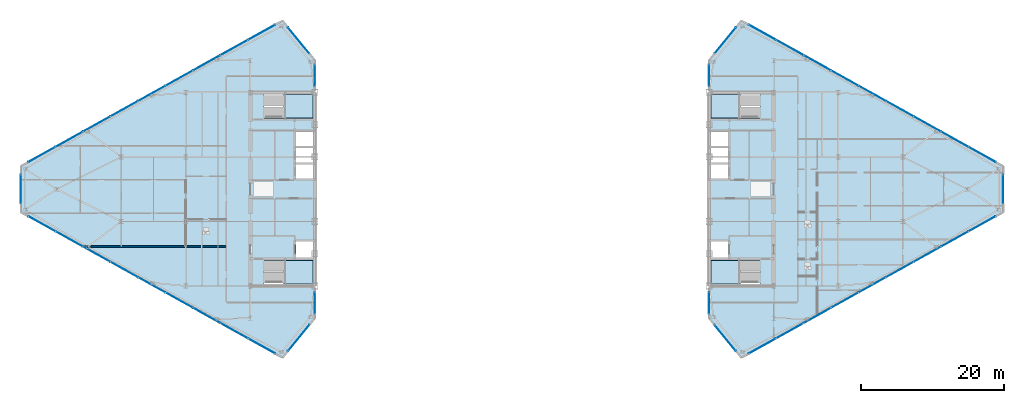
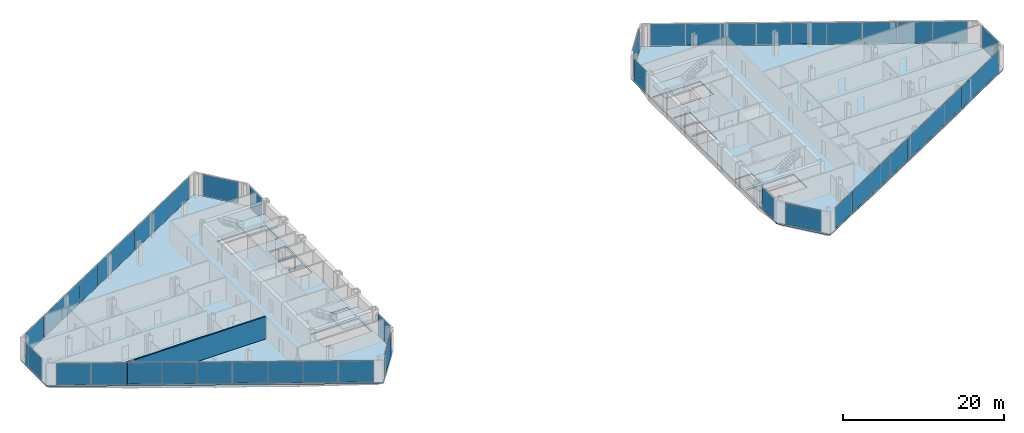
# One storey, part 18 of 26: 46 plates, 6 slabs, 1 wall, 18 elements without a shape of their own.
"""IFC4 building model written with IfcOpenShell, lengths in metres."""

from ifc_helpers import new_model, si_unit, direction, frame, frame_2d, origin, origin_2d, place, context, subcontext, project, spatial, polyline, rectangle, outline, extrude, source, transform, mapped, material, layer, layer_set, type_object, type_shapes, element, aggregate, save


model = new_model("IFC4")

# Units and contexts
model_context = context("Model", 3, precision=1e-05, world=origin(), true_north=direction((0.0, 1.0)))
body_context = subcontext(model_context, "Body", "Model", "MODEL_VIEW")
ifc_project = project(units=[si_unit("LENGTHUNIT", "METRE"), si_unit("AREAUNIT", "SQUARE_METRE"), si_unit("VOLUMEUNIT", "CUBIC_METRE"), si_unit("PLANEANGLEUNIT", "RADIAN"), si_unit("MASSUNIT", "GRAM", prefix="KILO")], contexts=[model_context])

# Site, building, storey
site_placement = place(None, origin())
site = spatial("IfcSite", under=ifc_project, at=site_placement, CompositionType="ELEMENT")
building_placement = place(site_placement, origin())
building = spatial("IfcBuilding", under=site, at=building_placement, Name="Seokmaru Belvedere", CompositionType="ELEMENT")
storey_placement = place(building_placement, frame((0.0, 0.0, 174.300048828125)))
storey = spatial("IfcBuildingStorey", under=building, at=storey_placement, Name="L46", CompositionType="ELEMENT", Elevation=174.300048828125)

# Stair, slab
ifc_material_1 = material(Name="Concrete C40 (40 MPa)", Category="concrete")
stair_type = type_object("IfcStairType", Name="Typical Tower Core Dog-Leg Stair 3600", PredefinedType="TWO_STRAIGHT_RUN_STAIR", material=ifc_material_1)
stair_1_placement = place(storey_placement, origin())
stair_1 = element("IfcStair", 1, at=stair_1_placement, inside=storey, type_object=stair_type, Name="L46 Special Escape Stair ST-W1", PredefinedType="TWO_STRAIGHT_RUN_STAIR")
ifc_layer_1 = layer(ifc_material_1, 0.199951171875)
ifc_layer_set_1 = layer_set([ifc_layer_1], Name="Concrete C40 (40 MPa)")
slab_type_1 = type_object("IfcSlabType", Name="Reinforced Concrete Stair Landing Slab 200", PredefinedType="LANDING", material=ifc_layer_set_1)
slab_1_placement = place(storey_placement, frame((0.0, 0.0, 1.599853515625)))
slab_1 = element("IfcSlab", 2, at=slab_1_placement, type_object=slab_type_1, Name="ST-W1 landing 1", PredefinedType="LANDING", context=body_context, shape_type="SweptSolid", body=[
    extrude(outline(polyline([(-31.8798828125, -13.239990234375), (-27.760009765625, -13.239990234375), (-27.760009765625, -9.949951171875), (-31.8798828125, -9.949951171875), (-31.8798828125, -13.239990234375)])), origin(), (0.0, 0.0, 1.0), 0.2001953125),
])
aggregate(stair_1, [slab_1])

stair_2_placement = place(storey_placement, origin())
stair_2 = element("IfcStair", 3, at=stair_2_placement, inside=storey, type_object=stair_type, Name="L46 Special Escape Stair ST-W2", PredefinedType="TWO_STRAIGHT_RUN_STAIR")
slab_2_placement = place(storey_placement, frame((0.0, 0.0, 1.599853515625)))
slab_2 = element("IfcSlab", 4, at=slab_2_placement, type_object=slab_type_1, Name="ST-W2 landing 1", PredefinedType="LANDING", context=body_context, shape_type="SweptSolid", body=[
    extrude(outline(polyline([(-31.8798828125, 9.949951171875), (-27.760009765625, 9.949951171875), (-27.760009765625, 13.239990234375), (-31.8798828125, 13.239990234375), (-31.8798828125, 9.949951171875)])), origin(), (0.0, 0.0, 1.0), 0.2001953125),
])
aggregate(stair_2, [slab_2])

stair_3_placement = place(storey_placement, origin())
stair_3 = element("IfcStair", 5, at=stair_3_placement, inside=storey, type_object=stair_type, Name="L46 Special Escape Stair ST-E1", PredefinedType="TWO_STRAIGHT_RUN_STAIR")
slab_3_placement = place(storey_placement, frame((0.0, 0.0, 1.599853515625)))
slab_3 = element("IfcSlab", 6, at=slab_3_placement, type_object=slab_type_1, Name="ST-E1 landing 1", PredefinedType="LANDING", context=body_context, shape_type="SweptSolid", body=[
    extrude(outline(polyline([(27.760009765625, -13.239990234375), (31.8798828125, -13.239990234375), (31.8798828125, -9.949951171875), (27.760009765625, -9.949951171875), (27.760009765625, -13.239990234375)])), origin(), (0.0, 0.0, 1.0), 0.2001953125),
])
aggregate(stair_3, [slab_3])

stair_4_placement = place(storey_placement, origin())
stair_4 = element("IfcStair", 7, at=stair_4_placement, inside=storey, type_object=stair_type, Name="L46 Special Escape Stair ST-E2", PredefinedType="TWO_STRAIGHT_RUN_STAIR")
slab_4_placement = place(storey_placement, frame((0.0, 0.0, 1.599853515625)))
slab_4 = element("IfcSlab", 8, at=slab_4_placement, type_object=slab_type_1, Name="ST-E2 landing 1", PredefinedType="LANDING", context=body_context, shape_type="SweptSolid", body=[
    extrude(outline(polyline([(27.760009765625, 9.949951171875), (31.8798828125, 9.949951171875), (31.8798828125, 13.239990234375), (27.760009765625, 13.239990234375), (27.760009765625, 9.949951171875)])), origin(), (0.0, 0.0, 1.0), 0.2001953125),
])
aggregate(stair_4, [slab_4])

# Slabs
ifc_layer_2 = layer(ifc_material_1, 0.219970703125)
ifc_layer_set_2 = layer_set([ifc_layer_2], Name="Concrete C40 (40 MPa)")
slab_type_2 = type_object("IfcSlabType", Name="Typical Tower Composite Floor Slab 220", PredefinedType="FLOOR", material=ifc_layer_set_2)
slab_5_placement = place(storey_placement, frame((0.0, 0.0, -0.219970703125)))
element("IfcSlab", 9, at=slab_5_placement, inside=storey, type_object=slab_type_2, Name="L46 West Leg Floor Slab", PredefinedType="FLOOR", context=body_context, shape_type="SweptSolid", body=[
    extrude(outline(polyline([(-27.5, -18.0), (-27.5, 18.0), (-32.0, 23.5), (-68.5, 3.199951171875), (-68.5, -3.199951171875), (-32.0, -23.5), (-27.5, -18.0)]), holes=[polyline([(-34.60009765625, -13.25), (-27.75, -13.25), (-27.75, -9.949951171875), (-34.60009765625, -9.949951171875), (-34.60009765625, -13.25)]), polyline([(-34.60009765625, 9.949951171875), (-27.75, 9.949951171875), (-27.75, 13.25), (-34.60009765625, 13.25), (-34.60009765625, 9.949951171875)]), polyline([(-30.14990234375, -9.550048828125), (-27.75, -9.550048828125), (-27.75, -7.25), (-30.14990234375, -7.25), (-30.14990234375, -9.550048828125)]), polyline([(-30.14990234375, 1.449951171875), (-27.75, 1.449951171875), (-27.75, 3.449951171875), (-30.14990234375, 3.449951171875), (-30.14990234375, 1.449951171875)]), polyline([(-30.14990234375, 3.75), (-27.75, 3.75), (-27.75, 5.75), (-30.14990234375, 5.75), (-30.14990234375, 3.75)]), polyline([(-30.14990234375, 6.050048828125), (-27.75, 6.050048828125), (-27.75, 8.050048828125), (-30.14990234375, 8.050048828125), (-30.14990234375, 6.050048828125)])]), origin(), (0.0, 0.0, 1.0), 0.219970703125),
])
slab_6_placement = place(storey_placement, frame((0.0, 0.0, -0.219970703125)))
element("IfcSlab", 10, at=slab_6_placement, inside=storey, type_object=slab_type_2, Name="L46 East Leg Floor Slab", PredefinedType="FLOOR", context=body_context, shape_type="SweptSolid", body=[
    extrude(outline(polyline([(32.0, -23.5), (68.5, -3.199951171875), (68.5, 3.199951171875), (32.0, 23.5), (27.5, 18.0), (27.5, -18.0), (32.0, -23.5)]), holes=[polyline([(27.75, -13.25), (34.60009765625, -13.25), (34.60009765625, -9.949951171875), (27.75, -9.949951171875), (27.75, -13.25)]), polyline([(27.75, 9.949951171875), (34.60009765625, 9.949951171875), (34.60009765625, 13.25), (27.75, 13.25), (27.75, 9.949951171875)]), polyline([(27.75, -9.550048828125), (30.14990234375, -9.550048828125), (30.14990234375, -7.25), (27.75, -7.25), (27.75, -9.550048828125)]), polyline([(27.75, 1.449951171875), (30.14990234375, 1.449951171875), (30.14990234375, 3.449951171875), (27.75, 3.449951171875), (27.75, 1.449951171875)]), polyline([(27.75, 3.75), (30.14990234375, 3.75), (30.14990234375, 5.75), (27.75, 5.75), (27.75, 3.75)]), polyline([(27.75, 6.050048828125), (30.14990234375, 6.050048828125), (30.14990234375, 8.050048828125), (27.75, 8.050048828125), (27.75, 6.050048828125)])]), origin(), (0.0, 0.0, 1.0), 0.219970703125),
])

# Curtain wall, plate
ifc_material_2 = material(Name="Bronze Triple Insulating Glass", Category="glass")
ifc_layer_3 = layer(ifc_material_2, 0.179931640625)
ifc_layer_set_3 = layer_set([ifc_layer_3], Name="Bronze Triple Insulating Glass")
curtain_wall_type = type_object("IfcCurtainWallType", Name="High-Rise Wind-Corner Curtain Wall System CW-5", PredefinedType="NOTDEFINED", material=ifc_layer_set_3)
curtain_wall_1_placement = place(storey_placement, origin())
curtain_wall_1 = element("IfcCurtainWall", 11, at=curtain_wall_1_placement, inside=storey, type_object=curtain_wall_type, Name="L46 Curtain Wall WSP_1", PredefinedType="NOTDEFINED")
ifc_layer_4 = layer(ifc_material_2, 0.035888671875)
ifc_layer_set_4 = layer_set([ifc_layer_4], Name="Bronze Triple Insulating Glass")
plate_type = type_object("IfcPlateType", Name="Bronze Triple Vision Glazing Panel 36", PredefinedType="CURTAIN_PANEL", material=ifc_layer_set_4)
shared_shape_1 = source(origin(), body_context, "Body", "SweptSolid", [
    extrude(rectangle(XDim=2.969970703125, YDim=0.035888671875, at=origin_2d()), origin(), (0.0, 0.0, 1.0), 3.25),
])
plate_1_placement = place(storey_placement, frame((-27.5, -15.8798828125, 0.06494140625), z_axis=(0.0, 0.0, 1.0), x_axis=(0.0, 1.0, 0.0)))
plate_1 = element("IfcPlate", 12, at=plate_1_placement, type_object=plate_type, Name="CW:L46:WSP_1 Glazing Panel 1-1", PredefinedType="CURTAIN_PANEL", context=body_context, shape_type="MappedRepresentation", body=[
    mapped(shared_shape_1, transform((0.0, 0.0, 0.0), scale=1.0)),
])
aggregate(curtain_wall_1, [plate_1])

curtain_wall_2_placement = place(storey_placement, origin())
curtain_wall_2 = element("IfcCurtainWall", 13, at=curtain_wall_2_placement, inside=storey, type_object=curtain_wall_type, Name="L46 Curtain Wall WSP_2", PredefinedType="NOTDEFINED")
plate_2_placement = place(storey_placement, frame((-27.5, 15.8798828125, 0.06494140625), z_axis=(0.0, 0.0, 1.0), x_axis=(0.0, 1.0, 0.0)))
plate_2 = element("IfcPlate", 14, at=plate_2_placement, type_object=plate_type, Name="CW:L46:WSP_2 Glazing Panel 1-1", PredefinedType="CURTAIN_PANEL", context=body_context, shape_type="MappedRepresentation", body=[
    mapped(shared_shape_1, transform((0.0, 0.0, 0.0), scale=1.0)),
])
aggregate(curtain_wall_2, [plate_2])

curtain_wall_3_placement = place(storey_placement, origin())
curtain_wall_3 = element("IfcCurtainWall", 15, at=curtain_wall_3_placement, inside=storey, type_object=curtain_wall_type, Name="L46 Curtain Wall ESP_1", PredefinedType="NOTDEFINED")
plate_3_placement = place(storey_placement, frame((27.5, -15.8798828125, 0.06494140625), z_axis=(0.0, 0.0, 1.0), x_axis=(0.0, -1.0, 0.0)))
plate_3 = element("IfcPlate", 16, at=plate_3_placement, type_object=plate_type, Name="CW:L46:ESP_1 Glazing Panel 1-1", PredefinedType="CURTAIN_PANEL", context=body_context, shape_type="MappedRepresentation", body=[
    mapped(shared_shape_1, transform((0.0, 0.0, 0.0), scale=1.0)),
])
aggregate(curtain_wall_3, [plate_3])

curtain_wall_4_placement = place(storey_placement, origin())
curtain_wall_4 = element("IfcCurtainWall", 17, at=curtain_wall_4_placement, inside=storey, type_object=curtain_wall_type, Name="L46 Curtain Wall ESP_2", PredefinedType="NOTDEFINED")
plate_4_placement = place(storey_placement, frame((27.5, 15.8798828125, 0.06494140625), z_axis=(0.0, 0.0, 1.0), x_axis=(0.0, -1.0, 0.0)))
plate_4 = element("IfcPlate", 18, at=plate_4_placement, type_object=plate_type, Name="CW:L46:ESP_2 Glazing Panel 1-1", PredefinedType="CURTAIN_PANEL", context=body_context, shape_type="MappedRepresentation", body=[
    mapped(shared_shape_1, transform((0.0, 0.0, 0.0), scale=1.0)),
])
aggregate(curtain_wall_4, [plate_4])

curtain_wall_5_placement = place(storey_placement, origin())
curtain_wall_5 = element("IfcCurtainWall", 19, at=curtain_wall_5_placement, inside=storey, type_object=curtain_wall_type, Name="L46 Curtain Wall WF2", PredefinedType="NOTDEFINED")
shared_shape_2 = source(origin(), body_context, "Body", "SweptSolid", [
    extrude(rectangle(XDim=4.67626953125, YDim=0.035888671875, at=origin_2d()), origin(), (0.0, 0.0, 1.0), 3.25),
])
plate_5_placement = place(storey_placement, frame((-29.75, 20.75, 0.06494140625), z_axis=(0.0, 0.0, 1.0), x_axis=(-0.633253907144, 0.773944112379, 0.0)))
plate_5 = element("IfcPlate", 20, at=plate_5_placement, type_object=plate_type, Name="CW:L46:WF2 Glazing Panel 1-1", PredefinedType="CURTAIN_PANEL", context=body_context, shape_type="MappedRepresentation", body=[
    mapped(shared_shape_2, transform((0.0, 0.0, 0.0), scale=1.0)),
])
aggregate(curtain_wall_5, [plate_5])

curtain_wall_6_placement = place(storey_placement, origin())
curtain_wall_6 = element("IfcCurtainWall", 21, at=curtain_wall_6_placement, inside=storey, type_object=curtain_wall_type, Name="L46 Curtain Wall WF6", PredefinedType="NOTDEFINED")
plate_6_placement = place(storey_placement, frame((-29.75, -20.75, 0.06494140625), z_axis=(0.0, 0.0, 1.0), x_axis=(0.633253907144, 0.773944112379, 0.0)))
plate_6 = element("IfcPlate", 22, at=plate_6_placement, type_object=plate_type, Name="CW:L46:WF6 Glazing Panel 1-1", PredefinedType="CURTAIN_PANEL", context=body_context, shape_type="MappedRepresentation", body=[
    mapped(shared_shape_2, transform((0.0, 0.0, 0.0), scale=1.0)),
])
aggregate(curtain_wall_6, [plate_6])

curtain_wall_7_placement = place(storey_placement, origin())
curtain_wall_7 = element("IfcCurtainWall", 23, at=curtain_wall_7_placement, inside=storey, type_object=curtain_wall_type, Name="L46 Curtain Wall EF4", PredefinedType="NOTDEFINED")
plate_7_placement = place(storey_placement, frame((29.75, 20.75, 0.06494140625), z_axis=(0.0, 0.0, 1.0), x_axis=(-0.633253907144, -0.773944112379, 0.0)))
plate_7 = element("IfcPlate", 24, at=plate_7_placement, type_object=plate_type, Name="CW:L46:EF4 Glazing Panel 1-1", PredefinedType="CURTAIN_PANEL", context=body_context, shape_type="MappedRepresentation", body=[
    mapped(shared_shape_2, transform((0.0, 0.0, 0.0), scale=1.0)),
])
aggregate(curtain_wall_7, [plate_7])

curtain_wall_8_placement = place(storey_placement, origin())
curtain_wall_8 = element("IfcCurtainWall", 25, at=curtain_wall_8_placement, inside=storey, type_object=curtain_wall_type, Name="L46 Curtain Wall EF6", PredefinedType="NOTDEFINED")
plate_8_placement = place(storey_placement, frame((29.75, -20.75, 0.06494140625), z_axis=(0.0, 0.0, 1.0), x_axis=(0.633253907144, -0.773944112379, 0.0)))
plate_8 = element("IfcPlate", 26, at=plate_8_placement, type_object=plate_type, Name="CW:L46:EF6 Glazing Panel 1-1", PredefinedType="CURTAIN_PANEL", context=body_context, shape_type="MappedRepresentation", body=[
    mapped(shared_shape_2, transform((0.0, 0.0, 0.0), scale=1.0)),
])
aggregate(curtain_wall_8, [plate_8])

# Curtain wall, plates
curtain_wall_9_placement = place(storey_placement, origin())
curtain_wall_9 = element("IfcCurtainWall", 27, at=curtain_wall_9_placement, inside=storey, type_object=curtain_wall_type, Name="L46 Curtain Wall WF3", PredefinedType="NOTDEFINED")
shared_shape_3 = source(origin(), body_context, "Body", "SweptSolid", [
    extrude(rectangle(XDim=4.28759765625, YDim=0.035888671875, at=origin_2d()), origin(), (0.0, 0.0, 1.0), 3.25),
])
plate_9_placement = place(storey_placement, frame((-34.935302734375, 21.867431640625, 0.06494140625), z_axis=(0.0, 0.0, 1.0), x_axis=(-0.873932601598, -0.486047125147, 0.0)))
plate_9 = element("IfcPlate", 28, at=plate_9_placement, type_object=plate_type, Name="CW:L46:WF3 Glazing Panel 1-1", PredefinedType="CURTAIN_PANEL", context=body_context, shape_type="MappedRepresentation", body=[
    mapped(shared_shape_3, transform((0.0, 0.0, 0.0), scale=1.0)),
])
plate_10_placement = place(storey_placement, frame((-65.564697265625, 4.83251953125, 0.06494140625), z_axis=(0.0, 0.0, 1.0), x_axis=(-0.873932601598, -0.486047125147, 0.0)))
plate_10 = element("IfcPlate", 29, at=plate_10_placement, type_object=plate_type, Name="CW:L46:WF3 Glazing Panel 9-1", PredefinedType="CURTAIN_PANEL", context=body_context, shape_type="MappedRepresentation", body=[
    mapped(shared_shape_3, transform((0.0, 0.0, 0.0), scale=1.0)),
])

curtain_wall_10_placement = place(storey_placement, origin())
curtain_wall_10 = element("IfcCurtainWall", 30, at=curtain_wall_10_placement, inside=storey, type_object=curtain_wall_type, Name="L46 Curtain Wall WF5", PredefinedType="NOTDEFINED")
plate_11_placement = place(storey_placement, frame((-65.564697265625, -4.83251953125, 0.06494140625), z_axis=(0.0, 0.0, 1.0), x_axis=(0.873932601598, -0.486047125147, 0.0)))
plate_11 = element("IfcPlate", 31, at=plate_11_placement, type_object=plate_type, Name="CW:L46:WF5 Glazing Panel 1-1", PredefinedType="CURTAIN_PANEL", context=body_context, shape_type="MappedRepresentation", body=[
    mapped(shared_shape_3, transform((0.0, 0.0, 0.0), scale=1.0)),
])
plate_12_placement = place(storey_placement, frame((-34.935302734375, -21.867431640625, 0.06494140625), z_axis=(0.0, 0.0, 1.0), x_axis=(0.873932601598, -0.486047125147, 0.0)))
plate_12 = element("IfcPlate", 32, at=plate_12_placement, type_object=plate_type, Name="CW:L46:WF5 Glazing Panel 9-1", PredefinedType="CURTAIN_PANEL", context=body_context, shape_type="MappedRepresentation", body=[
    mapped(shared_shape_3, transform((0.0, 0.0, 0.0), scale=1.0)),
])

curtain_wall_11_placement = place(storey_placement, origin())
curtain_wall_11 = element("IfcCurtainWall", 33, at=curtain_wall_11_placement, inside=storey, type_object=curtain_wall_type, Name="L46 Curtain Wall EF1", PredefinedType="NOTDEFINED")
plate_13_placement = place(storey_placement, frame((34.935302734375, -21.867431640625, 0.06494140625), z_axis=(0.0, 0.0, 1.0), x_axis=(0.873932601598, 0.486047125147, 0.0)))
plate_13 = element("IfcPlate", 34, at=plate_13_placement, type_object=plate_type, Name="CW:L46:EF1 Glazing Panel 1-1", PredefinedType="CURTAIN_PANEL", context=body_context, shape_type="MappedRepresentation", body=[
    mapped(shared_shape_3, transform((0.0, 0.0, 0.0), scale=1.0)),
])
plate_14_placement = place(storey_placement, frame((65.564697265625, -4.83251953125, 0.06494140625), z_axis=(0.0, 0.0, 1.0), x_axis=(0.873932601598, 0.486047125147, 0.0)))
plate_14 = element("IfcPlate", 35, at=plate_14_placement, type_object=plate_type, Name="CW:L46:EF1 Glazing Panel 9-1", PredefinedType="CURTAIN_PANEL", context=body_context, shape_type="MappedRepresentation", body=[
    mapped(shared_shape_3, transform((0.0, 0.0, 0.0), scale=1.0)),
])

curtain_wall_12_placement = place(storey_placement, origin())
curtain_wall_12 = element("IfcCurtainWall", 36, at=curtain_wall_12_placement, inside=storey, type_object=curtain_wall_type, Name="L46 Curtain Wall EF3", PredefinedType="NOTDEFINED")
plate_15_placement = place(storey_placement, frame((65.564697265625, 4.83251953125, 0.06494140625), z_axis=(0.0, 0.0, 1.0), x_axis=(-0.873932601598, 0.486047125147, 0.0)))
plate_15 = element("IfcPlate", 37, at=plate_15_placement, type_object=plate_type, Name="CW:L46:EF3 Glazing Panel 1-1", PredefinedType="CURTAIN_PANEL", context=body_context, shape_type="MappedRepresentation", body=[
    mapped(shared_shape_3, transform((0.0, 0.0, 0.0), scale=1.0)),
])
plate_16_placement = place(storey_placement, frame((34.935302734375, 21.867431640625, 0.06494140625), z_axis=(0.0, 0.0, 1.0), x_axis=(-0.873932601598, 0.486047125147, 0.0)))
plate_16 = element("IfcPlate", 38, at=plate_16_placement, type_object=plate_type, Name="CW:L46:EF3 Glazing Panel 9-1", PredefinedType="CURTAIN_PANEL", context=body_context, shape_type="MappedRepresentation", body=[
    mapped(shared_shape_3, transform((0.0, 0.0, 0.0), scale=1.0)),
])

# Plate
shared_shape_4 = source(origin(), body_context, "Body", "SweptSolid", [
    extrude(rectangle(XDim=4.320068359375, YDim=0.035888671875, at=origin_2d()), origin(), (0.0, 0.0, 1.0), 3.25),
])
plate_17_placement = place(storey_placement, frame((-38.75341796875, 19.743896484375, 0.06494140625), z_axis=(0.0, 0.0, 1.0), x_axis=(-0.873932601598, -0.486047125147, 0.0)))
plate_17 = element("IfcPlate", 39, at=plate_17_placement, type_object=plate_type, Name="CW:L46:WF3 Glazing Panel 2-1", PredefinedType="CURTAIN_PANEL", context=body_context, shape_type="MappedRepresentation", body=[
    mapped(shared_shape_4, transform((0.0, 0.0, 0.0), scale=1.0)),
])

plate_18_placement = place(storey_placement, frame((-42.585693359375, 17.61279296875, 0.06494140625), z_axis=(0.0, 0.0, 1.0), x_axis=(-0.873932601598, -0.486047125147, 0.0)))
plate_18 = element("IfcPlate", 40, at=plate_18_placement, type_object=plate_type, Name="CW:L46:WF3 Glazing Panel 3-1", PredefinedType="CURTAIN_PANEL", context=body_context, shape_type="MappedRepresentation", body=[
    mapped(shared_shape_4, transform((0.0, 0.0, 0.0), scale=1.0)),
])

plate_19_placement = place(storey_placement, frame((-46.417724609375, 15.481201171875, 0.06494140625), z_axis=(0.0, 0.0, 1.0), x_axis=(-0.873932601598, -0.486047125147, 0.0)))
plate_19 = element("IfcPlate", 41, at=plate_19_placement, type_object=plate_type, Name="CW:L46:WF3 Glazing Panel 4-1", PredefinedType="CURTAIN_PANEL", context=body_context, shape_type="MappedRepresentation", body=[
    mapped(shared_shape_4, transform((0.0, 0.0, 0.0), scale=1.0)),
])

plate_20_placement = place(storey_placement, frame((-50.25, 13.35009765625, 0.06494140625), z_axis=(0.0, 0.0, 1.0), x_axis=(-0.873932601598, -0.486047125147, 0.0)))
plate_20 = element("IfcPlate", 42, at=plate_20_placement, type_object=plate_type, Name="CW:L46:WF3 Glazing Panel 5-1", PredefinedType="CURTAIN_PANEL", context=body_context, shape_type="MappedRepresentation", body=[
    mapped(shared_shape_4, transform((0.0, 0.0, 0.0), scale=1.0)),
])

plate_21_placement = place(storey_placement, frame((-54.082275390625, 11.21875, 0.06494140625), z_axis=(0.0, 0.0, 1.0), x_axis=(-0.873932601598, -0.486047125147, 0.0)))
plate_21 = element("IfcPlate", 43, at=plate_21_placement, type_object=plate_type, Name="CW:L46:WF3 Glazing Panel 6-1", PredefinedType="CURTAIN_PANEL", context=body_context, shape_type="MappedRepresentation", body=[
    mapped(shared_shape_4, transform((0.0, 0.0, 0.0), scale=1.0)),
])

plate_22_placement = place(storey_placement, frame((-57.914306640625, 9.08740234375, 0.06494140625), z_axis=(0.0, 0.0, 1.0), x_axis=(-0.873932601598, -0.486047125147, 0.0)))
plate_22 = element("IfcPlate", 44, at=plate_22_placement, type_object=plate_type, Name="CW:L46:WF3 Glazing Panel 7-1", PredefinedType="CURTAIN_PANEL", context=body_context, shape_type="MappedRepresentation", body=[
    mapped(shared_shape_4, transform((0.0, 0.0, 0.0), scale=1.0)),
])

plate_23_placement = place(storey_placement, frame((-61.74658203125, 6.9560546875, 0.06494140625), z_axis=(0.0, 0.0, 1.0), x_axis=(-0.873932601598, -0.486047125147, 0.0)))
plate_23 = element("IfcPlate", 45, at=plate_23_placement, type_object=plate_type, Name="CW:L46:WF3 Glazing Panel 8-1", PredefinedType="CURTAIN_PANEL", context=body_context, shape_type="MappedRepresentation", body=[
    mapped(shared_shape_4, transform((0.0, 0.0, 0.0), scale=1.0)),
])

aggregate(curtain_wall_9, [plate_9, plate_17, plate_18, plate_19, plate_20, plate_21, plate_22, plate_23, plate_10])

plate_24_placement = place(storey_placement, frame((-61.74658203125, -6.9560546875, 0.06494140625), z_axis=(0.0, 0.0, 1.0), x_axis=(0.873932601598, -0.486047125147, 0.0)))
plate_24 = element("IfcPlate", 46, at=plate_24_placement, type_object=plate_type, Name="CW:L46:WF5 Glazing Panel 2-1", PredefinedType="CURTAIN_PANEL", context=body_context, shape_type="MappedRepresentation", body=[
    mapped(shared_shape_4, transform((0.0, 0.0, 0.0), scale=1.0)),
])

plate_25_placement = place(storey_placement, frame((-57.914306640625, -9.08740234375, 0.06494140625), z_axis=(0.0, 0.0, 1.0), x_axis=(0.873932601598, -0.486047125147, 0.0)))
plate_25 = element("IfcPlate", 47, at=plate_25_placement, type_object=plate_type, Name="CW:L46:WF5 Glazing Panel 3-1", PredefinedType="CURTAIN_PANEL", context=body_context, shape_type="MappedRepresentation", body=[
    mapped(shared_shape_4, transform((0.0, 0.0, 0.0), scale=1.0)),
])

plate_26_placement = place(storey_placement, frame((-54.082275390625, -11.21875, 0.06494140625), z_axis=(0.0, 0.0, 1.0), x_axis=(0.873932601598, -0.486047125147, 0.0)))
plate_26 = element("IfcPlate", 48, at=plate_26_placement, type_object=plate_type, Name="CW:L46:WF5 Glazing Panel 4-1", PredefinedType="CURTAIN_PANEL", context=body_context, shape_type="MappedRepresentation", body=[
    mapped(shared_shape_4, transform((0.0, 0.0, 0.0), scale=1.0)),
])

plate_27_placement = place(storey_placement, frame((-50.25, -13.35009765625, 0.06494140625), z_axis=(0.0, 0.0, 1.0), x_axis=(0.873932601598, -0.486047125147, 0.0)))
plate_27 = element("IfcPlate", 49, at=plate_27_placement, type_object=plate_type, Name="CW:L46:WF5 Glazing Panel 5-1", PredefinedType="CURTAIN_PANEL", context=body_context, shape_type="MappedRepresentation", body=[
    mapped(shared_shape_4, transform((0.0, 0.0, 0.0), scale=1.0)),
])

plate_28_placement = place(storey_placement, frame((-46.417724609375, -15.481201171875, 0.06494140625), z_axis=(0.0, 0.0, 1.0), x_axis=(0.873932601598, -0.486047125147, 0.0)))
plate_28 = element("IfcPlate", 50, at=plate_28_placement, type_object=plate_type, Name="CW:L46:WF5 Glazing Panel 6-1", PredefinedType="CURTAIN_PANEL", context=body_context, shape_type="MappedRepresentation", body=[
    mapped(shared_shape_4, transform((0.0, 0.0, 0.0), scale=1.0)),
])

plate_29_placement = place(storey_placement, frame((-42.585693359375, -17.61279296875, 0.06494140625), z_axis=(0.0, 0.0, 1.0), x_axis=(0.873932601598, -0.486047125147, 0.0)))
plate_29 = element("IfcPlate", 51, at=plate_29_placement, type_object=plate_type, Name="CW:L46:WF5 Glazing Panel 7-1", PredefinedType="CURTAIN_PANEL", context=body_context, shape_type="MappedRepresentation", body=[
    mapped(shared_shape_4, transform((0.0, 0.0, 0.0), scale=1.0)),
])

plate_30_placement = place(storey_placement, frame((-38.75341796875, -19.743896484375, 0.06494140625), z_axis=(0.0, 0.0, 1.0), x_axis=(0.873932601598, -0.486047125147, 0.0)))
plate_30 = element("IfcPlate", 52, at=plate_30_placement, type_object=plate_type, Name="CW:L46:WF5 Glazing Panel 8-1", PredefinedType="CURTAIN_PANEL", context=body_context, shape_type="MappedRepresentation", body=[
    mapped(shared_shape_4, transform((0.0, 0.0, 0.0), scale=1.0)),
])

aggregate(curtain_wall_10, [plate_11, plate_24, plate_25, plate_26, plate_27, plate_28, plate_29, plate_30, plate_12])

plate_31_placement = place(storey_placement, frame((38.75341796875, -19.743896484375, 0.06494140625), z_axis=(0.0, 0.0, 1.0), x_axis=(0.873932601598, 0.486047125147, 0.0)))
plate_31 = element("IfcPlate", 53, at=plate_31_placement, type_object=plate_type, Name="CW:L46:EF1 Glazing Panel 2-1", PredefinedType="CURTAIN_PANEL", context=body_context, shape_type="MappedRepresentation", body=[
    mapped(shared_shape_4, transform((0.0, 0.0, 0.0), scale=1.0)),
])

plate_32_placement = place(storey_placement, frame((42.585693359375, -17.61279296875, 0.06494140625), z_axis=(0.0, 0.0, 1.0), x_axis=(0.873932601598, 0.486047125147, 0.0)))
plate_32 = element("IfcPlate", 54, at=plate_32_placement, type_object=plate_type, Name="CW:L46:EF1 Glazing Panel 3-1", PredefinedType="CURTAIN_PANEL", context=body_context, shape_type="MappedRepresentation", body=[
    mapped(shared_shape_4, transform((0.0, 0.0, 0.0), scale=1.0)),
])

plate_33_placement = place(storey_placement, frame((46.417724609375, -15.481201171875, 0.06494140625), z_axis=(0.0, 0.0, 1.0), x_axis=(0.873932601598, 0.486047125147, 0.0)))
plate_33 = element("IfcPlate", 55, at=plate_33_placement, type_object=plate_type, Name="CW:L46:EF1 Glazing Panel 4-1", PredefinedType="CURTAIN_PANEL", context=body_context, shape_type="MappedRepresentation", body=[
    mapped(shared_shape_4, transform((0.0, 0.0, 0.0), scale=1.0)),
])

plate_34_placement = place(storey_placement, frame((50.25, -13.35009765625, 0.06494140625), z_axis=(0.0, 0.0, 1.0), x_axis=(0.873932601598, 0.486047125147, 0.0)))
plate_34 = element("IfcPlate", 56, at=plate_34_placement, type_object=plate_type, Name="CW:L46:EF1 Glazing Panel 5-1", PredefinedType="CURTAIN_PANEL", context=body_context, shape_type="MappedRepresentation", body=[
    mapped(shared_shape_4, transform((0.0, 0.0, 0.0), scale=1.0)),
])

plate_35_placement = place(storey_placement, frame((54.082275390625, -11.21875, 0.06494140625), z_axis=(0.0, 0.0, 1.0), x_axis=(0.873932601598, 0.486047125147, 0.0)))
plate_35 = element("IfcPlate", 57, at=plate_35_placement, type_object=plate_type, Name="CW:L46:EF1 Glazing Panel 6-1", PredefinedType="CURTAIN_PANEL", context=body_context, shape_type="MappedRepresentation", body=[
    mapped(shared_shape_4, transform((0.0, 0.0, 0.0), scale=1.0)),
])

plate_36_placement = place(storey_placement, frame((57.914306640625, -9.08740234375, 0.06494140625), z_axis=(0.0, 0.0, 1.0), x_axis=(0.873932601598, 0.486047125147, 0.0)))
plate_36 = element("IfcPlate", 58, at=plate_36_placement, type_object=plate_type, Name="CW:L46:EF1 Glazing Panel 7-1", PredefinedType="CURTAIN_PANEL", context=body_context, shape_type="MappedRepresentation", body=[
    mapped(shared_shape_4, transform((0.0, 0.0, 0.0), scale=1.0)),
])

plate_37_placement = place(storey_placement, frame((61.74658203125, -6.9560546875, 0.06494140625), z_axis=(0.0, 0.0, 1.0), x_axis=(0.873932601598, 0.486047125147, 0.0)))
plate_37 = element("IfcPlate", 59, at=plate_37_placement, type_object=plate_type, Name="CW:L46:EF1 Glazing Panel 8-1", PredefinedType="CURTAIN_PANEL", context=body_context, shape_type="MappedRepresentation", body=[
    mapped(shared_shape_4, transform((0.0, 0.0, 0.0), scale=1.0)),
])

aggregate(curtain_wall_11, [plate_13, plate_31, plate_32, plate_33, plate_34, plate_35, plate_36, plate_37, plate_14])

plate_38_placement = place(storey_placement, frame((61.74658203125, 6.9560546875, 0.06494140625), z_axis=(0.0, 0.0, 1.0), x_axis=(-0.873932601598, 0.486047125147, 0.0)))
plate_38 = element("IfcPlate", 60, at=plate_38_placement, type_object=plate_type, Name="CW:L46:EF3 Glazing Panel 2-1", PredefinedType="CURTAIN_PANEL", context=body_context, shape_type="MappedRepresentation", body=[
    mapped(shared_shape_4, transform((0.0, 0.0, 0.0), scale=1.0)),
])

plate_39_placement = place(storey_placement, frame((57.914306640625, 9.08740234375, 0.06494140625), z_axis=(0.0, 0.0, 1.0), x_axis=(-0.873932601598, 0.486047125147, 0.0)))
plate_39 = element("IfcPlate", 61, at=plate_39_placement, type_object=plate_type, Name="CW:L46:EF3 Glazing Panel 3-1", PredefinedType="CURTAIN_PANEL", context=body_context, shape_type="MappedRepresentation", body=[
    mapped(shared_shape_4, transform((0.0, 0.0, 0.0), scale=1.0)),
])

plate_40_placement = place(storey_placement, frame((54.082275390625, 11.21875, 0.06494140625), z_axis=(0.0, 0.0, 1.0), x_axis=(-0.873932601598, 0.486047125147, 0.0)))
plate_40 = element("IfcPlate", 62, at=plate_40_placement, type_object=plate_type, Name="CW:L46:EF3 Glazing Panel 4-1", PredefinedType="CURTAIN_PANEL", context=body_context, shape_type="MappedRepresentation", body=[
    mapped(shared_shape_4, transform((0.0, 0.0, 0.0), scale=1.0)),
])

plate_41_placement = place(storey_placement, frame((50.25, 13.35009765625, 0.06494140625), z_axis=(0.0, 0.0, 1.0), x_axis=(-0.873932601598, 0.486047125147, 0.0)))
plate_41 = element("IfcPlate", 63, at=plate_41_placement, type_object=plate_type, Name="CW:L46:EF3 Glazing Panel 5-1", PredefinedType="CURTAIN_PANEL", context=body_context, shape_type="MappedRepresentation", body=[
    mapped(shared_shape_4, transform((0.0, 0.0, 0.0), scale=1.0)),
])

plate_42_placement = place(storey_placement, frame((46.417724609375, 15.481201171875, 0.06494140625), z_axis=(0.0, 0.0, 1.0), x_axis=(-0.873932601598, 0.486047125147, 0.0)))
plate_42 = element("IfcPlate", 64, at=plate_42_placement, type_object=plate_type, Name="CW:L46:EF3 Glazing Panel 6-1", PredefinedType="CURTAIN_PANEL", context=body_context, shape_type="MappedRepresentation", body=[
    mapped(shared_shape_4, transform((0.0, 0.0, 0.0), scale=1.0)),
])

plate_43_placement = place(storey_placement, frame((42.585693359375, 17.61279296875, 0.06494140625), z_axis=(0.0, 0.0, 1.0), x_axis=(-0.873932601598, 0.486047125147, 0.0)))
plate_43 = element("IfcPlate", 65, at=plate_43_placement, type_object=plate_type, Name="CW:L46:EF3 Glazing Panel 7-1", PredefinedType="CURTAIN_PANEL", context=body_context, shape_type="MappedRepresentation", body=[
    mapped(shared_shape_4, transform((0.0, 0.0, 0.0), scale=1.0)),
])

plate_44_placement = place(storey_placement, frame((38.75341796875, 19.743896484375, 0.06494140625), z_axis=(0.0, 0.0, 1.0), x_axis=(-0.873932601598, 0.486047125147, 0.0)))
plate_44 = element("IfcPlate", 66, at=plate_44_placement, type_object=plate_type, Name="CW:L46:EF3 Glazing Panel 8-1", PredefinedType="CURTAIN_PANEL", context=body_context, shape_type="MappedRepresentation", body=[
    mapped(shared_shape_4, transform((0.0, 0.0, 0.0), scale=1.0)),
])

aggregate(curtain_wall_12, [plate_15, plate_38, plate_39, plate_40, plate_41, plate_42, plate_43, plate_44, plate_16])

# Curtain wall, plate
curtain_wall_13_placement = place(storey_placement, origin())
curtain_wall_13 = element("IfcCurtainWall", 67, at=curtain_wall_13_placement, inside=storey, type_object=curtain_wall_type, Name="L46 Curtain Wall WF4", PredefinedType="NOTDEFINED")
shared_shape_5 = source(origin(), body_context, "Body", "SweptSolid", [
    extrude(rectangle(XDim=3.969970703125, YDim=0.035888671875, at=origin_2d()), origin(), (0.0, 0.0, 1.0), 3.25),
])
type_shapes(plate_type, [shared_shape_1, shared_shape_2, shared_shape_3, shared_shape_4, shared_shape_5])
plate_45_placement = place(storey_placement, frame((-68.5, 0.0, 0.06494140625), z_axis=(0.0, 0.0, 1.0), x_axis=(0.0, -1.0, 0.0)))
plate_45 = element("IfcPlate", 68, at=plate_45_placement, type_object=plate_type, Name="CW:L46:WF4 Glazing Panel 1-1", PredefinedType="CURTAIN_PANEL", context=body_context, shape_type="MappedRepresentation", body=[
    mapped(shared_shape_5, transform((0.0, 0.0, 0.0), scale=1.0)),
])
aggregate(curtain_wall_13, [plate_45])

curtain_wall_14_placement = place(storey_placement, origin())
curtain_wall_14 = element("IfcCurtainWall", 69, at=curtain_wall_14_placement, inside=storey, type_object=curtain_wall_type, Name="L46 Curtain Wall EF2", PredefinedType="NOTDEFINED")
plate_46_placement = place(storey_placement, frame((68.5, 0.0, 0.06494140625), z_axis=(0.0, 0.0, 1.0), x_axis=(0.0, 1.0, 0.0)))
plate_46 = element("IfcPlate", 70, at=plate_46_placement, type_object=plate_type, Name="CW:L46:EF2 Glazing Panel 1-1", PredefinedType="CURTAIN_PANEL", context=body_context, shape_type="MappedRepresentation", body=[
    mapped(shared_shape_5, transform((0.0, 0.0, 0.0), scale=1.0)),
])
aggregate(curtain_wall_14, [plate_46])

# Wall
ifc_material_3 = material(Name="Fire-Rated Gypsum Shaftwall")
ifc_layer_5 = layer(ifc_material_3, 0.199951171875)
ifc_layer_set_5 = layer_set([ifc_layer_5], Name="Fire-Rated Gypsum Shaftwall")
wall_type = type_object("IfcWallType", Name="Inter-Tenancy Fire Compartment Partition 200", PredefinedType="PARTITIONING", material=ifc_layer_set_5)
wall_placement = place(storey_placement, frame((-59.8798828125, -8.0, 0.0), z_axis=(0.0, 0.0, 1.0), x_axis=(1.0, 0.0, 0.0)))
element("IfcWall", 71, at=wall_placement, inside=storey, type_object=wall_type, Name="L46 Interior Partition 007", PredefinedType="PARTITIONING", context=body_context, shape_type="SweptSolid", body=[
    extrude(rectangle(XDim=19.949951171875, YDim=0.199951171875, at=frame_2d((9.97509765625, 0.0))), origin(), (0.0, 0.0, 1.0), 3.3798828125),
])

save(model, "model.ifc")
